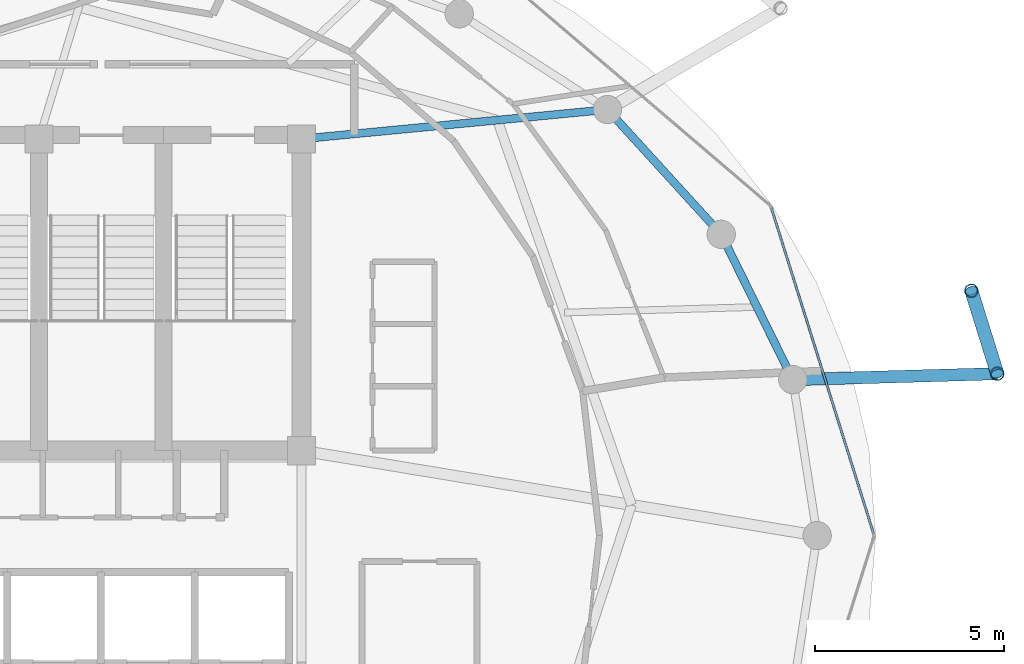
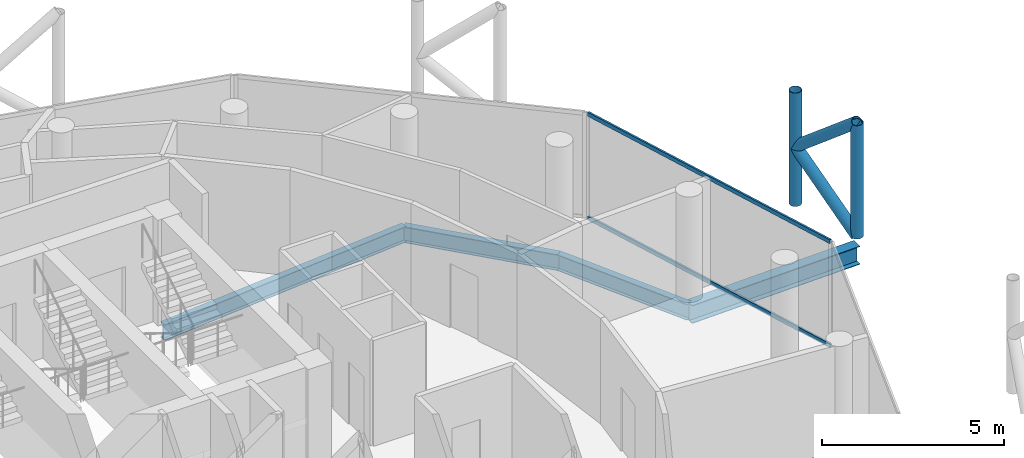
# One storey, part 13 of 24: 6 members, 4 beams, 1 element without a shape of its own.
"""IFC4 building model written with IfcOpenShell, lengths in metres."""

from ifc_helpers import new_model, si_unit, direction, frame, origin, origin_2d, place, context, subcontext, project, spatial, hollow_rectangle, hollow_circle, i_section, extrude, material, layer, layer_set, material_profile, profile_set, type_object, element, aggregate, save


model = new_model("IFC4")

# Units and contexts
model_context = context("Model", 3, precision=1e-05, world=origin(), true_north=direction((0.0, 1.0)))
body_context = subcontext(model_context, "Body", "Model", "MODEL_VIEW")
ifc_project = project(units=[si_unit("LENGTHUNIT", "METRE"), si_unit("AREAUNIT", "SQUARE_METRE"), si_unit("VOLUMEUNIT", "CUBIC_METRE"), si_unit("PLANEANGLEUNIT", "RADIAN"), si_unit("MASSUNIT", "GRAM", prefix="KILO")], contexts=[model_context])

# Site, building, storey
site_placement = place(None, origin())
site = spatial("IfcSite", under=ifc_project, at=site_placement, CompositionType="ELEMENT")
building_placement = place(site_placement, origin())
building = spatial("IfcBuilding", under=site, at=building_placement, Name="Nuhasar Tower", CompositionType="ELEMENT")
storey_placement = place(building_placement, frame((0.0, 0.0, 293.60009765625)))
storey = spatial("IfcBuildingStorey", under=building, at=storey_placement, Name="L73", CompositionType="ELEMENT", Elevation=293.60009765625)

# Beams
ifc_material_1 = material(Name="Steel S355", Category="steel")
ifc_material_profile_1 = material_profile(ifc_material_1, i_section(OverallWidth=0.208984375, OverallDepth=0.528076171875, WebThickness=0.009521484375, FlangeThickness=0.01318359375, at=origin_2d()), Name="W21X55")
ifc_profile_set_1 = profile_set([ifc_material_profile_1], Name="Steel S355")
beam_type_1 = type_object("IfcBeamType", Name="BM-RAD-W21X55", PredefinedType="BEAM", material=ifc_profile_set_1)
beam_1_placement = place(storey_placement, frame((44.300048828125, 37.300048828125, -0.524169921875), z_axis=(0.99542073054, 0.095590633496, 0.0), x_axis=(-0.095590633496, 0.99542073054, 0.0)))
element("IfcBeam", 1, at=beam_1_placement, inside=storey, type_object=beam_type_1, Name="L73 Radial Floor Girder 05", PredefinedType="BEAM", context=body_context, shape_type="SweptSolid", body=[
    extrude(i_section(OverallWidth=0.208984375, OverallDepth=0.528076171875, WebThickness=0.009521484375, FlangeThickness=0.01318359375, at=origin_2d()), origin(), (0.0, 0.0, 1.0), 8.13720703125),
])
ifc_material_profile_2 = material_profile(ifc_material_1, i_section(OverallWidth=0.2099609375, OverallDepth=0.537109375, WebThickness=0.010986328125, FlangeThickness=0.017333984375, at=origin_2d()), Name="W21X68")
ifc_profile_set_2 = profile_set([ifc_material_profile_2], Name="Steel S355")
beam_type_2 = type_object("IfcBeamType", Name="BM-RING-W21X68", PredefinedType="SPANDREL", material=ifc_profile_set_2)
beam_2_placement = place(storey_placement, frame((57.303955078125, 30.927978515625, -0.529052734375), z_axis=(-0.441533119295, 0.897244952377, 0.0), x_axis=(-0.897244952377, -0.441533119295, 0.0)))
element("IfcBeam", 2, at=beam_2_placement, inside=storey, type_object=beam_type_2, Name="L73 Perimeter Ring Spandrel 02", PredefinedType="SPANDREL", context=body_context, shape_type="SweptSolid", body=[
    extrude(i_section(OverallWidth=0.2099609375, OverallDepth=0.537109375, WebThickness=0.010986328125, FlangeThickness=0.017333984375, at=origin_2d()), origin(), (0.0, 0.0, 1.0), 4.28759765625),
])
beam_3_placement = place(storey_placement, frame((55.410888671875, 34.77490234375, -0.529052734375), z_axis=(-0.673686302939, 0.739017432293, 0.0), x_axis=(-0.739017432293, -0.673686302939, 0.0)))
element("IfcBeam", 3, at=beam_3_placement, inside=storey, type_object=beam_type_2, Name="L73 Perimeter Ring Spandrel 03", PredefinedType="SPANDREL", context=body_context, shape_type="SweptSolid", body=[
    extrude(i_section(OverallWidth=0.2099609375, OverallDepth=0.537109375, WebThickness=0.010986328125, FlangeThickness=0.017333984375, at=origin_2d()), origin(), (0.0, 0.0, 1.0), 4.469482421875),
])
ifc_material_profile_3 = material_profile(ifc_material_1, i_section(OverallWidth=0.323974609375, OverallDepth=0.611083984375, WebThickness=0.0126953125, FlangeThickness=0.01904296875, at=origin_2d()), Name="W24X104")
ifc_profile_set_3 = profile_set([ifc_material_profile_3], Name="Steel S355")
beam_type_3 = type_object("IfcBeamType", Name="BM-TIE-W24X104", PredefinedType="BEAM", material=ifc_profile_set_3)
beam_4_placement = place(storey_placement, frame((57.303955078125, 30.927978515625, -0.566162109375), z_axis=(0.999574661214, 0.029163275875, 0.0), x_axis=(-0.029163275875, 0.999574661214, 0.0)))
element("IfcBeam", 4, at=beam_4_placement, inside=storey, type_object=beam_type_3, Name="L73 Exoskeleton Node Tie Beam 01", PredefinedType="BEAM", context=body_context, shape_type="SweptSolid", body=[
    extrude(i_section(OverallWidth=0.323974609375, OverallDepth=0.611083984375, WebThickness=0.0126953125, FlangeThickness=0.01904296875, at=origin_2d()), origin(), (0.0, 0.0, 1.0), 5.416259765625),
])

# Curtain wall, members
ifc_material_2 = material(Name="Aluminium 6063-T6", Category="aluminium")
ifc_layer = layer(ifc_material_2, 0.18994140625)
ifc_layer_set = layer_set([ifc_layer], Name="Aluminium 6063-T6")
curtain_wall_type = type_object("IfcCurtainWallType", Name="CW-Z4-PEN", PredefinedType="NOTDEFINED", material=ifc_layer_set)
curtain_wall_placement = place(storey_placement, origin())
curtain_wall = element("IfcCurtainWall", 5, at=curtain_wall_placement, inside=storey, type_object=curtain_wall_type, Name="L73 Unitised Curtain Wall 01", PredefinedType="NOTDEFINED")
ifc_material_profile_4 = material_profile(ifc_material_2, hollow_rectangle(XDim=0.06005859375, YDim=0.135009765625, WallThickness=0.00439453125, at=origin_2d()), Name="CWT-5")
ifc_profile_set_4 = profile_set([ifc_material_profile_4], Name="Aluminium 6063-T6")
member_type_1 = type_object("IfcMemberType", Name="CW-TRN-S5", PredefinedType="USERDEFINED", material=ifc_profile_set_4)
member_1_placement = place(storey_placement, frame((59.442138671875, 26.857177734375, 0.02978515625), z_axis=(-0.29956014073, 0.954077419335, 0.0), x_axis=(-0.954077419335, -0.29956014073, 0.0)))
member_1 = element("IfcMember", 6, at=member_1_placement, type_object=member_type_1, Name="CW-Z4 transom 1.1", ObjectType="TRANSOM", PredefinedType="USERDEFINED", context=body_context, shape_type="SweptSolid", body=[
    extrude(hollow_rectangle(XDim=0.06005859375, YDim=0.135009765625, WallThickness=0.00439453125, at=origin_2d()), origin(), (0.0, 0.0, 1.0), 9.0302734375),
])
member_2_placement = place(storey_placement, frame((59.442138671875, 26.857177734375, 3.510009765625), z_axis=(-0.29956014073, 0.954077419335, 0.0), x_axis=(-0.954077419335, -0.29956014073, 0.0)))
member_2 = element("IfcMember", 7, at=member_2_placement, type_object=member_type_1, Name="CW-Z4 transom 1.2", ObjectType="TRANSOM", PredefinedType="USERDEFINED", context=body_context, shape_type="SweptSolid", body=[
    extrude(hollow_rectangle(XDim=0.06005859375, YDim=0.135009765625, WallThickness=0.00439453125, at=origin_2d()), origin(), (0.0, 0.0, 1.0), 9.0302734375),
])
aggregate(curtain_wall, [member_1, member_2])

# Members
ifc_material_3 = material(Name="Steel S460", Category="steel")
ifc_material_profile_5 = material_profile(ifc_material_3, hollow_circle(Radius=0.177734375, WallThickness=0.015869140625, at=origin_2d()), Name="HSS355.6X15.9")
ifc_profile_set_5 = profile_set([ifc_material_profile_5], Name="Steel S460")
member_type_2 = type_object("IfcMemberType", Name="EXO-BRONZE-356", PredefinedType="BRACE", material=ifc_profile_set_5)
for number, where, z_axis, x_axis, name in (
    (8, (62.718017578125, 31.0859375, 0.0), (0.0, 0.0, 1.0), (1.0, 0.0, 0.0), "L73 Exoskeleton Chord Column EC-01A"),
    (9, (62.032958984375, 33.281005859375, 0.0), (0.0, 0.0, 1.0), (1.0, 0.0, 0.0), "L73 Exoskeleton Chord Column EC-01B"),
):
    element("IfcMember", number, at=place(storey_placement, frame(where, z_axis=z_axis, x_axis=x_axis)), inside=storey, type_object=member_type_2, Name=name, PredefinedType="BRACE", context=body_context, shape_type="SweptSolid", body=[
        extrude(hollow_circle(Radius=0.177734375, WallThickness=0.015869140625, at=origin_2d()), origin(), (0.0, 0.0, 1.0), 3.7998046875),
    ])
for number, where, z_axis, x_axis, name in (
    (10, (62.718017578125, 31.0859375, 0.0), (-0.229667527485, 0.735901902929, 0.636946792192), (-0.954591372974, -0.297918295247, 0.0), "L73 Bronze Diagrid Brace W1-01"),
    (11, (62.032958984375, 33.281005859375, 1.89990234375), (0.229667527485, -0.735901902929, 0.636946792192), (0.954591372974, 0.297918295247, 0.0), "L73 Bronze Diagrid Brace W2-01"),
):
    element("IfcMember", number, at=place(storey_placement, frame(where, z_axis=z_axis, x_axis=x_axis)), inside=storey, type_object=member_type_2, Name=name, PredefinedType="BRACE", context=body_context, shape_type="SweptSolid", body=[
        extrude(hollow_circle(Radius=0.177734375, WallThickness=0.015869140625, at=origin_2d()), origin(), (0.0, 0.0, 1.0), 2.98291015625),
    ])

save(model, "model.ifc")
